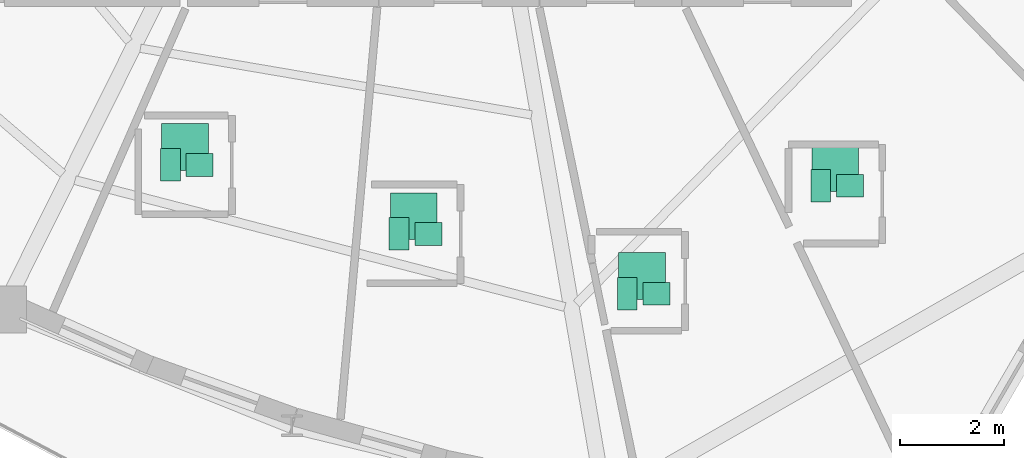
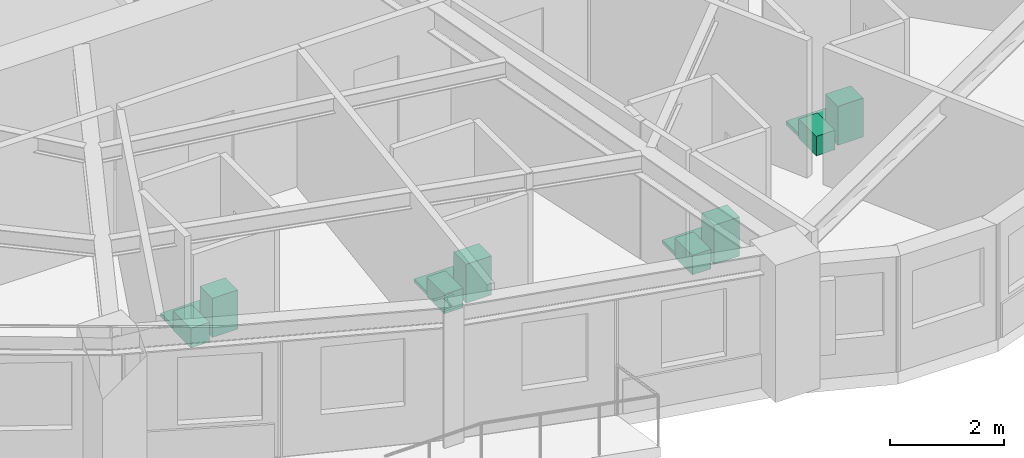
# One storey, part 14 of 14: 12 sanitary terminals.
"""IFC4 building model written with IfcOpenShell, lengths in metres."""

from ifc_helpers import new_model, si_unit, direction, frame, origin, origin_2d, place, context, subcontext, project, spatial, rectangle, extrude, source, transform, mapped, material, type_object, element, save


model = new_model("IFC4")

# Units and contexts
model_context = context("Model", 3, precision=1e-05, world=origin(), true_north=direction((0.0, 1.0)))
body_context = subcontext(model_context, "Body", "Model", "MODEL_VIEW")
ifc_project = project(units=[si_unit("LENGTHUNIT", "METRE"), si_unit("AREAUNIT", "SQUARE_METRE"), si_unit("VOLUMEUNIT", "CUBIC_METRE"), si_unit("PLANEANGLEUNIT", "RADIAN"), si_unit("MASSUNIT", "GRAM", prefix="KILO")], contexts=[model_context])

# Site, building, storey
site_placement = place(None, origin())
site = spatial("IfcSite", under=ifc_project, at=site_placement, CompositionType="ELEMENT")
building_placement = place(site_placement, origin())
building = spatial("IfcBuilding", under=site, at=building_placement, Name="Qafzar Sky-Pleat Residences", CompositionType="ELEMENT")
storey_placement = place(building_placement, frame((0.0, 0.0, 86.39990234375)))
storey = spatial("IfcBuildingStorey", under=building, at=storey_placement, Name="L25", CompositionType="ELEMENT", Elevation=86.39990234375)

# Sanitary terminals
ifc_material_1 = material(Name="Vitreous china sanitaryware")
sanitary_terminal_type_1 = type_object("IfcSanitaryTerminalType", Name="SAN-WC-PAN", PredefinedType="TOILETPAN", material=ifc_material_1)
shared_shape_1 = source(origin(), body_context, "Body", "SweptSolid", [
    extrude(rectangle(XDim=0.3798828125, YDim=0.6201171875, at=origin_2d()), origin(), (0.0, 0.0, 1.0), 0.419921875),
])
for number, where, z_axis, x_axis, name in (
    (1, (25.445068359375, 12.449951171875, 0.000244140625), (0.0, 0.0, 1.0), (1.0, 0.0, 0.0), "L25 En-suite Bathroom 1 WC Pan"),
    (2, (29.837890625, 11.1240234375, 0.000244140625), (0.0, 0.0, 1.0), (1.0, 0.0, 0.0), "L25 En-suite Bathroom 2 WC Pan"),
    (3, (34.22021484375, 9.974609375, 0.000244140625), (0.0, 0.0, 1.0), (1.0, 0.0, 0.0), "L25 En-suite Bathroom 3 WC Pan"),
    (4, (37.93701171875, 12.048828125, 0.000244140625), (0.0, 0.0, 1.0), (1.0, 0.0, 0.0), "L25 En-suite Bathroom 4 WC Pan"),
):
    element("IfcSanitaryTerminal", number, at=place(storey_placement, frame(where, z_axis=z_axis, x_axis=x_axis)), inside=storey, type_object=sanitary_terminal_type_1, Name=name, PredefinedType="TOILETPAN", context=body_context, shape_type="MappedRepresentation", body=[
        mapped(shared_shape_1, transform((0.0, 0.0, 0.0), x_axis=(1.0, 0.0, 0.0), y_axis=(0.0, 1.0, 0.0), z_axis=(0.0, 0.0, 1.0), scale=1.0)),
    ])
sanitary_terminal_type_2 = type_object("IfcSanitaryTerminalType", Name="SAN-BASIN", PredefinedType="WASHHANDBASIN", material=ifc_material_1)
shared_shape_2 = source(origin(), body_context, "Body", "SweptSolid", [
    extrude(rectangle(XDim=0.52001953125, YDim=0.43994140625, at=origin_2d()), origin(), (0.0, 0.0, 1.0), 0.840087890625),
])
for number, where, z_axis, x_axis, name in (
    (5, (26.0048828125, 12.449951171875, 0.0), (0.0, 0.0, 1.0), (1.0, 0.0, 0.0), "L25 En-suite Bathroom 1 Pedestal Washbasin"),
    (6, (30.39794921875, 11.1240234375, 0.0), (0.0, 0.0, 1.0), (1.0, 0.0, 0.0), "L25 En-suite Bathroom 2 Pedestal Washbasin"),
    (7, (34.7802734375, 9.974609375, 0.0), (0.0, 0.0, 1.0), (1.0, 0.0, 0.0), "L25 En-suite Bathroom 3 Pedestal Washbasin"),
    (8, (38.4970703125, 12.048828125, 0.0), (0.0, 0.0, 1.0), (1.0, 0.0, 0.0), "L25 En-suite Bathroom 4 Pedestal Washbasin"),
):
    element("IfcSanitaryTerminal", number, at=place(storey_placement, frame(where, z_axis=z_axis, x_axis=x_axis)), inside=storey, type_object=sanitary_terminal_type_2, Name=name, PredefinedType="WASHHANDBASIN", context=body_context, shape_type="MappedRepresentation", body=[
        mapped(shared_shape_2, transform((0.0, 0.0, 0.0), x_axis=(1.0, 0.0, 0.0), y_axis=(0.0, 1.0, 0.0), z_axis=(0.0, 0.0, 1.0), scale=1.0)),
    ])
ifc_material_2 = material(Name="Vitreous china and acrylic tray")
sanitary_terminal_type_3 = type_object("IfcSanitaryTerminalType", Name="SAN-SHOWER", PredefinedType="SHOWER", material=ifc_material_2)
shared_shape_3 = source(origin(), body_context, "Body", "SweptSolid", [
    extrude(rectangle(XDim=0.89990234375, YDim=0.89990234375, at=origin_2d()), origin(), (0.0, 0.0, 1.0), 0.080078125),
])
for number, where, z_axis, x_axis, name in (
    (9, (25.72509765625, 12.7900390625, 0.0), (0.0, 0.0, 1.0), (1.0, 0.0, 0.0), "L25 En-suite Bathroom 1 Walk-In Shower"),
    (10, (30.117919921875, 11.464111328125, 0.0), (0.0, 0.0, 1.0), (1.0, 0.0, 0.0), "L25 En-suite Bathroom 2 Walk-In Shower"),
    (11, (34.500244140625, 10.314697265625, 0.0), (0.0, 0.0, 1.0), (1.0, 0.0, 0.0), "L25 En-suite Bathroom 3 Walk-In Shower"),
    (12, (38.217041015625, 12.388916015625, 0.0), (0.0, 0.0, 1.0), (1.0, 0.0, 0.0), "L25 En-suite Bathroom 4 Walk-In Shower"),
):
    element("IfcSanitaryTerminal", number, at=place(storey_placement, frame(where, z_axis=z_axis, x_axis=x_axis)), inside=storey, type_object=sanitary_terminal_type_3, Name=name, PredefinedType="SHOWER", context=body_context, shape_type="MappedRepresentation", body=[
        mapped(shared_shape_3, transform((0.0, 0.0, 0.0), x_axis=(1.0, 0.0, 0.0), y_axis=(0.0, 1.0, 0.0), z_axis=(0.0, 0.0, 1.0), scale=1.0)),
    ])

save(model, "model.ifc")
